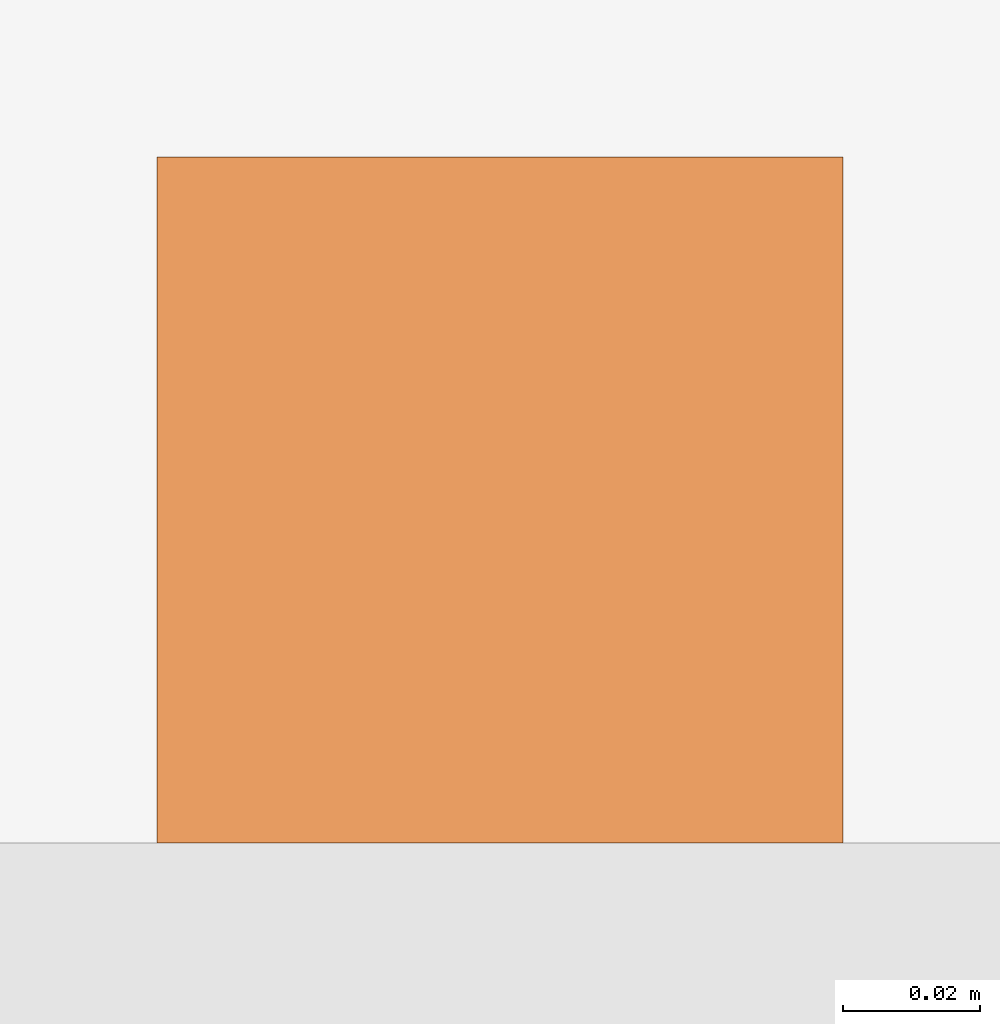
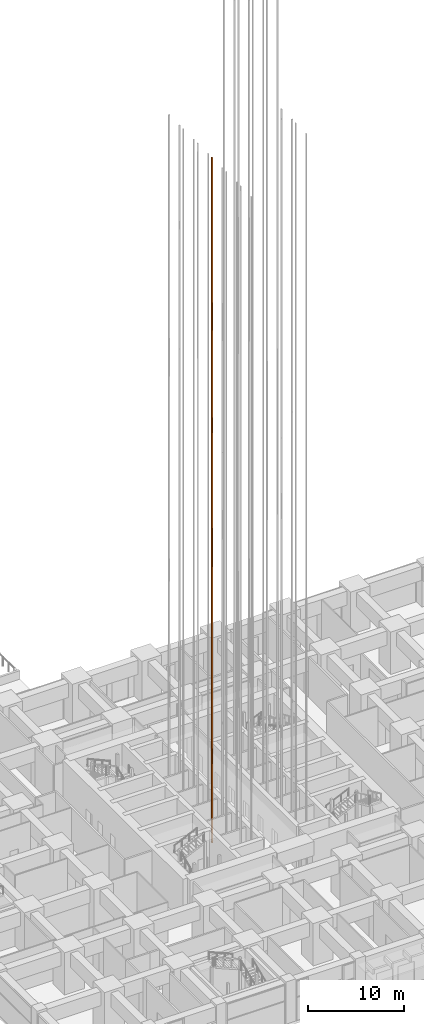
# One storey, part 67 of 81: 1 proxy.
"""IFC4 building model written with IfcOpenShell, lengths in metres."""

from ifc_helpers import new_model, si_unit, direction, frame, origin, origin_2d, place, context, subcontext, project, spatial, rectangle, extrude, material, type_object, element, save


model = new_model("IFC4")

# Units and contexts
model_context = context("Model", 3, precision=1e-05, world=origin(), true_north=direction((0.0, 1.0)))
body_context = subcontext(model_context, "Body", "Model", "MODEL_VIEW")
ifc_project = project(units=[si_unit("LENGTHUNIT", "METRE"), si_unit("AREAUNIT", "SQUARE_METRE"), si_unit("VOLUMEUNIT", "CUBIC_METRE"), si_unit("PLANEANGLEUNIT", "RADIAN"), si_unit("MASSUNIT", "GRAM", prefix="KILO")], contexts=[model_context])

# Site, building, storey
site_placement = place(None, origin())
site = spatial("IfcSite", under=ifc_project, at=site_placement, CompositionType="ELEMENT")
building_placement = place(site_placement, origin())
building = spatial("IfcBuilding", under=site, at=building_placement, Name="Rekha Terrace Tower", CompositionType="ELEMENT")
storey_placement = place(building_placement, origin())
storey = spatial("IfcBuildingStorey", under=building, at=storey_placement, Name="L00", CompositionType="ELEMENT", Elevation=0.0)

# Proxy
ifc_material = material(Name="Steel guide rail", Category="steel")
building_element_proxy_type = type_object("IfcBuildingElementProxyType", Name="LR1 100 lift guide rail", PredefinedType="ELEMENT", material=ifc_material)
proxy_placement = place(storey_placement, frame((34.5, 32.0, 0.0), z_axis=(0.0, 0.0, 1.0), x_axis=(1.0, 0.0, 0.0)))
element("IfcBuildingElementProxy", 1, at=proxy_placement, inside=storey, type_object=building_element_proxy_type, Name="Lift A3 guide rail 2", PredefinedType="ELEMENT", context=body_context, shape_type="SweptSolid", body=[
    extrude(rectangle(XDim=0.10009765625, YDim=0.10009765625, at=origin_2d()), origin(), (0.0, 0.0, 1.0), 87.5),
])

save(model, "model.ifc")
